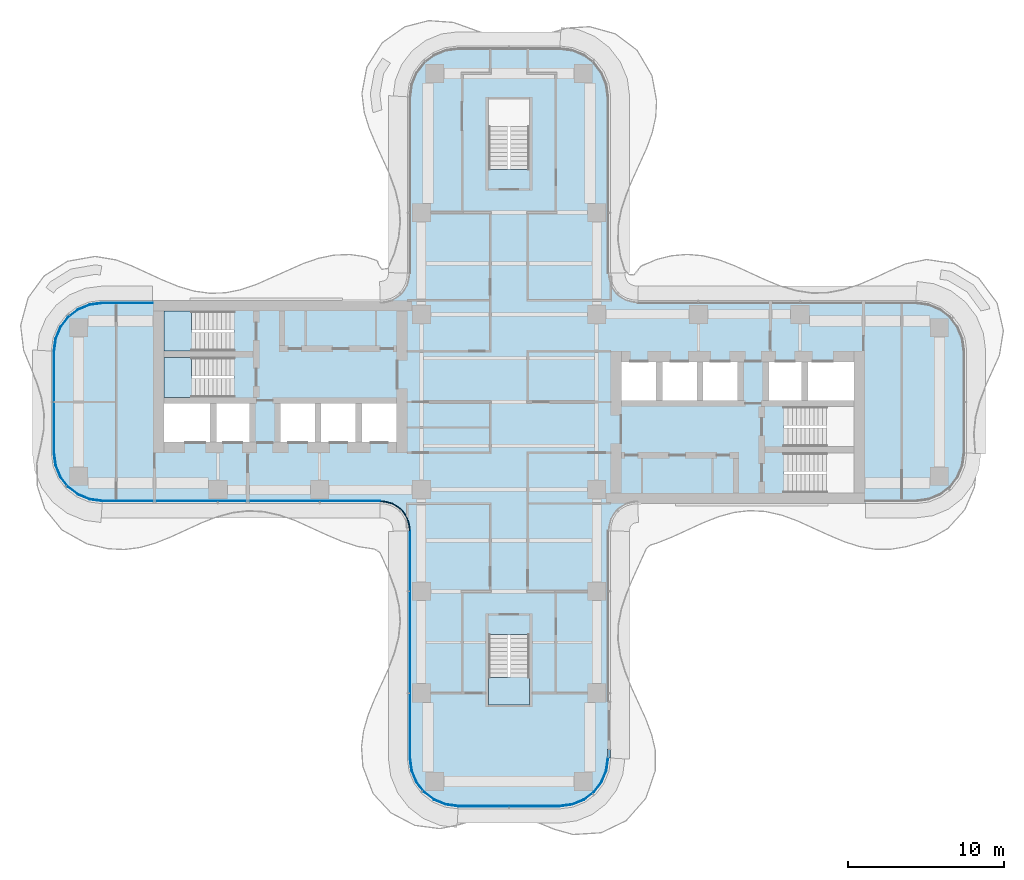
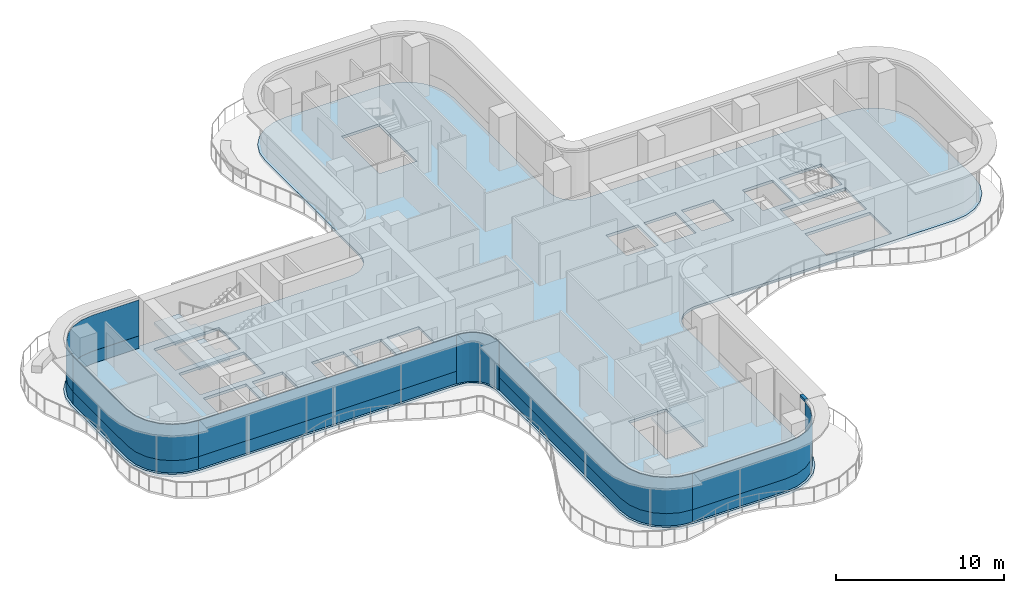
# One storey, part 9 of 18: 11 plates, 4 slabs, 1 member, 10 elements without a shape of their own.
"""IFC4 building model written with IfcOpenShell, lengths in metres."""

from ifc_helpers import new_model, si_unit, direction, frame, origin, place, context, subcontext, project, spatial, polyline, outline, extrude, source, transform, mapped, material, layer, layer_set, type_object, element, aggregate, save


model = new_model("IFC4")

# Units and contexts
model_context = context("Model", 3, precision=1e-05, world=origin(), true_north=direction((0.0, 1.0)))
body_context = subcontext(model_context, "Body", "Model", "MODEL_VIEW")
ifc_project = project(units=[si_unit("LENGTHUNIT", "METRE"), si_unit("AREAUNIT", "SQUARE_METRE"), si_unit("VOLUMEUNIT", "CUBIC_METRE"), si_unit("PLANEANGLEUNIT", "RADIAN"), si_unit("MASSUNIT", "GRAM", prefix="KILO")], contexts=[model_context])

# Site, building, storey
site_placement = place(None, origin())
site = spatial("IfcSite", under=ifc_project, at=site_placement, CompositionType="ELEMENT")
building_placement = place(site_placement, origin())
building = spatial("IfcBuilding", under=site, at=building_placement, Name="Trellis Farm Tower", CompositionType="ELEMENT")
storey_placement = place(building_placement, frame((0.0, 0.0, 204.89990234375)))
storey = spatial("IfcBuildingStorey", under=building, at=storey_placement, Name="L45", CompositionType="ELEMENT", Elevation=204.89990234375)

# Curtain wall, member
ifc_material_1 = material(Name="Aluminium and glass curtain wall", Category="aluminium")
ifc_layer_1 = layer(ifc_material_1, 0.18994140625)
ifc_layer_set_1 = layer_set([ifc_layer_1], Name="RIBBON CURTAIN WALL CW1")
curtain_wall_type_1 = type_object("IfcCurtainWallType", Name="RIBBON CURTAIN WALL CW1", PredefinedType="NOTDEFINED", material=ifc_layer_set_1)
placement_1 = place(storey_placement, origin())
curtain_wall_1 = element("IfcCurtainWall", 1, at=placement_1, inside=storey, type_object=curtain_wall_type_1, Name="CW1 004", PredefinedType="NOTDEFINED")
ifc_material_2 = material(Name="Aluminium extrusion 6063-T6", Category="aluminium")
ifc_layer_2 = layer(ifc_material_2, 0.199951171875)
ifc_layer_set_2 = layer_set([ifc_layer_2], Name="Aluminium extrusion 6063-T6")
member_type = type_object("IfcMemberType", Name="CW1 TRANSOM 200x180", PredefinedType="USERDEFINED", material=ifc_layer_set_2)
member_placement = place(storey_placement, frame((0.0, 0.0, 3.52001953125)))
member = element("IfcMember", 2, at=member_placement, type_object=member_type, Name="TR1 004", ObjectType="TRANSOM", PredefinedType="USERDEFINED", context=body_context, shape_type="SweptSolid", body=[
    extrude(outline(polyline([(6.5, -22.75), (6.5, -22.175048828125), (6.300048828125, -22.175048828125), (6.300048828125, -22.73681640625), (6.5, -22.75)])), origin(), (0.0, 0.0, 1.0), 0.18017578125),
])
aggregate(curtain_wall_1, [member])

# Slab
ifc_material_3 = material(Name="Concrete C40/50", Category="concrete")
ifc_layer_3 = layer(ifc_material_3, 0.199951171875)
ifc_layer_set_3 = layer_set([ifc_layer_3], Name="Composite deck floor slab 200")
slab_type_1 = type_object("IfcSlabType", Name="Composite deck floor slab 200", PredefinedType="FLOOR", material=ifc_layer_set_3)
shared_shape_1 = source(origin(), body_context, "Body", "SweptSolid", [
    extrude(outline(polyline([(-26.84130859375, -6.389404296875), (-27.625, -6.064697265625), (-28.298095703125, -5.548095703125), (-28.814697265625, -4.875), (-29.139404296875, -4.09130859375), (-29.25, -3.25), (-29.25, 3.25), (-29.139404296875, 4.09130859375), (-28.814697265625, 4.875), (-28.298095703125, 5.548095703125), (-27.625, 6.064697265625), (-26.84130859375, 6.389404296875), (-26.0, 6.5), (-8.2314453125, 6.5), (-8.01953125, 6.513916015625), (-7.91552734375, 6.527587890625), (-7.508544921875, 6.63671875), (-7.144287109375, 6.846923828125), (-6.846923828125, 7.144287109375), (-6.63671875, 7.508544921875), (-6.527587890625, 7.91552734375), (-6.513916015625, 8.01953125), (-6.5, 8.2314453125), (-6.5, 19.5), (-6.389404296875, 20.34130859375), (-6.064697265625, 21.125), (-5.548095703125, 21.798095703125), (-4.875, 22.314697265625), (-4.09130859375, 22.639404296875), (-3.25, 22.75), (3.25, 22.75), (4.09130859375, 22.639404296875), (4.875, 22.314697265625), (5.548095703125, 21.798095703125), (6.064697265625, 21.125), (6.389404296875, 20.34130859375), (6.5, 19.5), (6.5, 8.2314453125), (6.513916015625, 8.01953125), (6.527587890625, 7.91552734375), (6.63671875, 7.508544921875), (6.846923828125, 7.144287109375), (7.144287109375, 6.846923828125), (7.508544921875, 6.63671875), (7.91552734375, 6.527587890625), (8.01953125, 6.513916015625), (8.2314453125, 6.5), (26.0, 6.5), (26.84130859375, 6.389404296875), (27.625, 6.064697265625), (28.298095703125, 5.548095703125), (28.814697265625, 4.875), (29.139404296875, 4.09130859375), (29.25, 3.25), (29.25, -3.25), (29.139404296875, -4.09130859375), (28.814697265625, -4.875), (28.298095703125, -5.548095703125), (27.625, -6.064697265625), (26.84130859375, -6.389404296875), (26.0, -6.5), (8.2314453125, -6.5), (8.01953125, -6.513916015625), (7.91552734375, -6.527587890625), (7.508544921875, -6.63671875), (7.144287109375, -6.846923828125), (6.846923828125, -7.144287109375), (6.63671875, -7.508544921875), (6.527587890625, -7.91552734375), (6.513916015625, -8.01953125), (6.5, -8.2314453125), (6.5, -22.75), (6.389404296875, -23.59130859375), (6.064697265625, -24.375), (5.548095703125, -25.048095703125), (4.875, -25.564697265625), (4.09130859375, -25.889404296875), (3.25, -26.0), (-3.25, -26.0), (-4.09130859375, -25.889404296875), (-4.875, -25.564697265625), (-5.548095703125, -25.048095703125), (-6.064697265625, -24.375), (-6.389404296875, -23.59130859375), (-6.5, -22.75), (-6.5, -8.2314453125), (-6.513916015625, -8.01953125), (-6.527587890625, -7.91552734375), (-6.63671875, -7.508544921875), (-6.846923828125, -7.144287109375), (-7.144287109375, -6.846923828125), (-7.508544921875, -6.63671875), (-7.91552734375, -6.527587890625), (-8.01953125, -6.513916015625), (-8.2314453125, -6.5), (-26.0, -6.5), (-26.84130859375, -6.389404296875)]), holes=[polyline([(-22.050048828125, -0.10009765625), (-22.050048828125, -2.550048828125), (-19.10009765625, -2.550048828125), (-19.10009765625, -0.10009765625), (-22.050048828125, -0.10009765625)]), polyline([(-18.699951171875, -0.10009765625), (-18.699951171875, -2.550048828125), (-16.60009765625, -2.550048828125), (-16.60009765625, -0.10009765625), (-18.699951171875, -0.10009765625)]), polyline([(-14.60009765625, -0.10009765625), (-14.60009765625, -2.550048828125), (-12.39990234375, -2.550048828125), (-12.39990234375, -0.10009765625), (-14.60009765625, -0.10009765625)]), polyline([(-12.0, -0.10009765625), (-12.0, -2.550048828125), (-9.800048828125, -2.550048828125), (-9.800048828125, -0.10009765625), (-12.0, -0.10009765625)]), polyline([(-9.39990234375, -0.10009765625), (-9.39990234375, -2.550048828125), (-7.199951171875, -2.550048828125), (-7.199951171875, -0.10009765625), (-9.39990234375, -0.10009765625)]), polyline([(-17.56201171875, 1.64990234375), (-17.56201171875, 2.85009765625), (-22.050048828125, 2.85009765625), (-22.050048828125, 0.300048828125), (-17.56005859375, 0.300048828125), (-17.56005859375, 1.5), (-17.550048828125, 1.5), (-17.550048828125, 1.64990234375), (-17.56201171875, 1.64990234375)]), polyline([(-17.56201171875, 4.60009765625), (-17.56201171875, 5.800048828125), (-22.050048828125, 5.800048828125), (-22.050048828125, 3.25), (-17.56005859375, 3.25), (-17.56005859375, 4.449951171875), (-17.550048828125, 4.449951171875), (-17.550048828125, 4.60009765625), (-17.56201171875, 4.60009765625)]), polyline([(0.10009765625, 14.862060546875), (1.300048828125, 14.862060546875), (1.300048828125, 19.35009765625), (-1.300048828125, 19.35009765625), (-1.300048828125, 14.860107421875), (-0.10009765625, 14.860107421875), (-0.10009765625, 14.85009765625), (0.10009765625, 14.85009765625), (0.10009765625, 14.862060546875)]), polyline([(-0.10009765625, -14.862060546875), (-1.300048828125, -14.862060546875), (-1.300048828125, -19.35009765625), (1.300048828125, -19.35009765625), (1.300048828125, -14.860107421875), (0.10009765625, -14.860107421875), (0.10009765625, -14.85009765625), (-0.10009765625, -14.85009765625), (-0.10009765625, -14.862060546875)]), polyline([(17.56201171875, -4.60009765625), (17.56201171875, -5.800048828125), (22.050048828125, -5.800048828125), (22.050048828125, -3.25), (17.56005859375, -3.25), (17.56005859375, -4.449951171875), (17.550048828125, -4.449951171875), (17.550048828125, -4.60009765625), (17.56201171875, -4.60009765625)]), polyline([(17.56201171875, -1.64990234375), (17.56201171875, -2.85009765625), (22.050048828125, -2.85009765625), (22.050048828125, -0.300048828125), (17.56005859375, -0.300048828125), (17.56005859375, -1.5), (17.550048828125, -1.5), (17.550048828125, -1.64990234375), (17.56201171875, -1.64990234375)]), polyline([(9.39990234375, 0.10009765625), (9.39990234375, 2.550048828125), (7.199951171875, 2.550048828125), (7.199951171875, 0.10009765625), (9.39990234375, 0.10009765625)]), polyline([(12.0, 0.10009765625), (12.0, 2.550048828125), (9.800048828125, 2.550048828125), (9.800048828125, 0.10009765625), (12.0, 0.10009765625)]), polyline([(14.60009765625, 0.10009765625), (14.60009765625, 2.550048828125), (12.39990234375, 2.550048828125), (12.39990234375, 0.10009765625), (14.60009765625, 0.10009765625)]), polyline([(18.699951171875, 0.10009765625), (18.699951171875, 2.550048828125), (16.60009765625, 2.550048828125), (16.60009765625, 0.10009765625), (18.699951171875, 0.10009765625)]), polyline([(22.050048828125, 0.10009765625), (22.050048828125, 2.550048828125), (19.10009765625, 2.550048828125), (19.10009765625, 0.10009765625), (22.050048828125, 0.10009765625)])]), origin(), (0.0, 0.0, 1.0), 0.199951171875),
])
slab_1_placement = place(storey_placement, frame((0.0, 0.0, -0.199951171875)))
element("IfcSlab", 3, at=slab_1_placement, inside=storey, type_object=slab_type_1, Name="Floor slab", PredefinedType="FLOOR", context=body_context, shape_type="MappedRepresentation", body=[
    mapped(shared_shape_1, transform((0.0, 0.0, 0.0))),
])

# Stair, slab
ifc_material_4 = material(Name="Concrete C50/60", Category="concrete")
stair_type = type_object("IfcStairType", Name="CORE EXIT STAIR 22 RISERS 177 MM", PredefinedType="HALF_TURN_STAIR", material=ifc_material_4)
stair_1 = element("IfcStair", 4, at=placement_1, inside=storey, type_object=stair_type, Name="Exit stair S", PredefinedType="HALF_TURN_STAIR")
ifc_layer_4 = layer(ifc_material_4, 0.18994140625)
ifc_layer_set_4 = layer_set([ifc_layer_4], Name="CORE STAIR LANDING 190 CONCRETE C50/60")
slab_type_2 = type_object("IfcSlabType", Name="CORE STAIR LANDING 190 CONCRETE C50/60", PredefinedType="LANDING", material=ifc_layer_set_4)
shared_shape_2 = source(origin(), body_context, "Body", "SweptSolid", [
    extrude(outline(polyline([(1.300048828125, -19.35009765625), (-1.300048828125, -19.35009765625), (-1.300048828125, -17.60009765625), (-1.300048828125, -17.590087890625), (-0.10009765625, -17.590087890625), (-0.10009765625, -17.60009765625), (0.10009765625, -17.60009765625), (0.10009765625, -17.27197265625), (1.300048828125, -17.27197265625), (1.300048828125, -17.60009765625), (1.300048828125, -19.35009765625)])), origin(), (0.0, 0.0, 1.0), 0.190185546875),
])
placement_2 = place(storey_placement, frame((0.0, 0.0, 1.760009765625)))
slab_2 = element("IfcSlab", 5, at=placement_2, type_object=slab_type_2, Name="STS landing 1", PredefinedType="LANDING", context=body_context, shape_type="MappedRepresentation", body=[
    mapped(shared_shape_2, transform((0.0, 0.0, 0.0))),
])
aggregate(stair_1, [slab_2])

stair_2 = element("IfcStair", 6, at=placement_1, inside=storey, type_object=stair_type, Name="Exit stair W1", PredefinedType="HALF_TURN_STAIR")
shared_shape_3 = source(origin(), body_context, "Body", "SweptSolid", [
    extrude(outline(polyline([(-19.971923828125, 4.449951171875), (-19.971923828125, 3.25), (-20.300048828125, 3.25), (-22.050048828125, 3.25), (-22.050048828125, 5.800048828125), (-20.300048828125, 5.800048828125), (-20.2900390625, 5.800048828125), (-20.2900390625, 4.60009765625), (-20.300048828125, 4.60009765625), (-20.300048828125, 4.449951171875), (-19.971923828125, 4.449951171875)])), origin(), (0.0, 0.0, 1.0), 0.190185546875),
])
slab_3 = element("IfcSlab", 7, at=placement_2, type_object=slab_type_2, Name="STW1 landing 1", PredefinedType="LANDING", context=body_context, shape_type="MappedRepresentation", body=[
    mapped(shared_shape_3, transform((0.0, 0.0, 0.0))),
])
aggregate(stair_2, [slab_3])

stair_3 = element("IfcStair", 8, at=placement_1, inside=storey, type_object=stair_type, Name="Exit stair W2", PredefinedType="HALF_TURN_STAIR")
shared_shape_4 = source(origin(), body_context, "Body", "SweptSolid", [
    extrude(outline(polyline([(-19.971923828125, 1.5), (-19.971923828125, 0.300048828125), (-20.300048828125, 0.300048828125), (-22.050048828125, 0.300048828125), (-22.050048828125, 2.85009765625), (-20.300048828125, 2.85009765625), (-20.2900390625, 2.85009765625), (-20.2900390625, 1.64990234375), (-20.300048828125, 1.64990234375), (-20.300048828125, 1.5), (-19.971923828125, 1.5)])), origin(), (0.0, 0.0, 1.0), 0.190185546875),
])
slab_4 = element("IfcSlab", 9, at=placement_2, type_object=slab_type_2, Name="STW2 landing 1", PredefinedType="LANDING", context=body_context, shape_type="MappedRepresentation", body=[
    mapped(shared_shape_4, transform((0.0, 0.0, 0.0))),
])
aggregate(stair_3, [slab_4])

# Curtain wall, plate
ifc_layer_5 = layer(ifc_material_1, 0.166015625)
ifc_layer_set_5 = layer_set([ifc_layer_5], Name="WINTER GARDEN CURTAIN WALL CW3")
curtain_wall_type_2 = type_object("IfcCurtainWallType", Name="WINTER GARDEN CURTAIN WALL CW3", PredefinedType="NOTDEFINED", material=ifc_layer_set_5)
curtain_wall_2 = element("IfcCurtainWall", 10, at=placement_1, inside=storey, type_object=curtain_wall_type_2, Name="CW3 001", PredefinedType="NOTDEFINED")
ifc_material_5 = material(Name="Clear insulated glass", Category="glass")
ifc_layer_6 = layer(ifc_material_5, 0.0458984375)
ifc_layer_set_6 = layer_set([ifc_layer_6], Name="CW3 GLASS PANEL 46")
plate_type_1 = type_object("IfcPlateType", Name="CW3 GLASS PANEL 46", PredefinedType="CURTAIN_PANEL", material=ifc_layer_set_6)
shared_shape_5 = source(origin(), body_context, "Body", "SweptSolid", [
    extrude(outline(polyline([(-8.2275390625, -6.3798828125), (-8.0078125, -6.394287109375), (-7.89208984375, -6.40966796875), (-7.462158203125, -6.52490234375), (-7.070556640625, -6.7509765625), (-6.7509765625, -7.070556640625), (-6.52490234375, -7.462158203125), (-6.40966796875, -7.89208984375), (-6.394287109375, -8.0078125), (-6.3798828125, -8.2275390625), (-6.333984375, -8.22607421875), (-6.3486328125, -8.003173828125), (-6.364501953125, -7.883056640625), (-6.48193359375, -7.4443359375), (-6.714111328125, -7.04248046875), (-7.04248046875, -6.714111328125), (-7.4443359375, -6.48193359375), (-7.883056640625, -6.364501953125), (-8.003173828125, -6.3486328125), (-8.22607421875, -6.333984375), (-8.2275390625, -6.3798828125)])), origin(), (0.0, 0.0, 1.0), 3.550048828125),
])
plate_1 = element("IfcPlate", 11, at=placement_1, type_object=plate_type_1, Name="PL3 001", PredefinedType="CURTAIN_PANEL", context=body_context, shape_type="MappedRepresentation", body=[
    mapped(shared_shape_5, transform((0.0, 0.0, 0.0))),
])
aggregate(curtain_wall_2, [plate_1])

# Curtain wall, plates
curtain_wall_3 = element("IfcCurtainWall", 12, at=placement_1, inside=storey, type_object=curtain_wall_type_1, Name="CW1 001", PredefinedType="NOTDEFINED")
ifc_layer_7 = layer(ifc_material_5, 0.0400390625)
ifc_layer_set_7 = layer_set([ifc_layer_7], Name="CW1 GLASS PANEL 40")
plate_type_2 = type_object("IfcPlateType", Name="CW1 GLASS PANEL 40", PredefinedType="CURTAIN_PANEL", material=ifc_layer_set_7)
shared_shape_6 = source(origin(), body_context, "Body", "SweptSolid", [
    extrude(outline(polyline([(-25.990234375, -6.35009765625), (-8.2265625, -6.35009765625), (-8.22509765625, -6.31005859375), (-25.987548828125, -6.31005859375), (-25.990234375, -6.35009765625)])), origin(), (0.0, 0.0, 1.0), 2.619873046875),
])
placement_3 = place(storey_placement, frame((0.0, 0.0, 0.900146484375)))
plate_2 = element("IfcPlate", 13, at=placement_3, type_object=plate_type_2, Name="PL1 001", PredefinedType="CURTAIN_PANEL", context=body_context, shape_type="MappedRepresentation", body=[
    mapped(shared_shape_6, transform((0.0, 0.0, 0.0))),
])
ifc_material_6 = material(Name="Sandstone faced insulated panel", Category="masonry")
ifc_layer_8 = layer(ifc_material_6, 0.050048828125)
ifc_layer_set_8 = layer_set([ifc_layer_8], Name="CW1 STONE SPANDREL PANEL 50")
plate_type_3 = type_object("IfcPlateType", Name="CW1 STONE SPANDREL PANEL 50", PredefinedType="CURTAIN_PANEL", material=ifc_layer_set_8)
shared_shape_7 = source(origin(), body_context, "Body", "SweptSolid", [
    extrude(outline(polyline([(-25.990234375, -6.35009765625), (-8.2265625, -6.35009765625), (-8.224853515625, -6.300048828125), (-25.98681640625, -6.300048828125), (-25.990234375, -6.35009765625)])), origin(), (0.0, 0.0, 1.0), 0.900146484375),
])
plate_3 = element("IfcPlate", 14, at=placement_1, type_object=plate_type_3, Name="PS1 001", PredefinedType="CURTAIN_PANEL", context=body_context, shape_type="MappedRepresentation", body=[
    mapped(shared_shape_7, transform((0.0, 0.0, 0.0))),
])
aggregate(curtain_wall_3, [plate_2, plate_3])

curtain_wall_4 = element("IfcCurtainWall", 15, at=placement_1, inside=storey, type_object=curtain_wall_type_1, Name="CW1 002", PredefinedType="NOTDEFINED")
shared_shape_8 = source(origin(), body_context, "Body", "SweptSolid", [
    extrude(outline(polyline([(-6.35009765625, -8.2265625), (-6.35009765625, -22.740234375), (-6.2431640625, -23.552001953125), (-5.93359375, -24.29931640625), (-5.441162109375, -24.941162109375), (-4.79931640625, -25.43359375), (-4.052001953125, -25.7431640625), (-3.240234375, -25.85009765625), (-3.237548828125, -25.81005859375), (-4.04150390625, -25.7041015625), (-4.779296875, -25.398681640625), (-5.41259765625, -24.91259765625), (-5.898681640625, -24.279296875), (-6.2041015625, -23.54150390625), (-6.31005859375, -22.737548828125), (-6.31005859375, -8.22509765625), (-6.35009765625, -8.2265625)])), origin(), (0.0, 0.0, 1.0), 2.619873046875),
])
plate_4 = element("IfcPlate", 16, at=placement_3, type_object=plate_type_2, Name="PL1 002", PredefinedType="CURTAIN_PANEL", context=body_context, shape_type="MappedRepresentation", body=[
    mapped(shared_shape_8, transform((0.0, 0.0, 0.0))),
])
shared_shape_9 = source(origin(), body_context, "Body", "SweptSolid", [
    extrude(outline(polyline([(-6.35009765625, -8.2265625), (-6.35009765625, -22.740234375), (-6.2431640625, -23.552001953125), (-5.93359375, -24.29931640625), (-5.441162109375, -24.941162109375), (-4.79931640625, -25.43359375), (-4.052001953125, -25.7431640625), (-3.240234375, -25.85009765625), (-3.23681640625, -25.800048828125), (-4.0390625, -25.6943359375), (-4.774169921875, -25.389892578125), (-5.405517578125, -24.905517578125), (-5.889892578125, -24.274169921875), (-6.1943359375, -23.5390625), (-6.300048828125, -22.73681640625), (-6.300048828125, -8.224853515625), (-6.35009765625, -8.2265625)])), origin(), (0.0, 0.0, 1.0), 0.900146484375),
])
plate_5 = element("IfcPlate", 17, at=placement_1, type_object=plate_type_3, Name="PS1 002", PredefinedType="CURTAIN_PANEL", context=body_context, shape_type="MappedRepresentation", body=[
    mapped(shared_shape_9, transform((0.0, 0.0, 0.0))),
])
aggregate(curtain_wall_4, [plate_4, plate_5])

curtain_wall_5 = element("IfcCurtainWall", 18, at=placement_1, inside=storey, type_object=curtain_wall_type_1, Name="CW1 003", PredefinedType="NOTDEFINED")
shared_shape_10 = source(origin(), body_context, "Body", "SweptSolid", [
    extrude(outline(polyline([(-3.240234375, -25.85009765625), (3.240234375, -25.85009765625), (4.052001953125, -25.7431640625), (4.79931640625, -25.43359375), (5.441162109375, -24.941162109375), (5.93359375, -24.29931640625), (6.2431640625, -23.552001953125), (6.35009765625, -22.740234375), (6.31005859375, -22.737548828125), (6.2041015625, -23.54150390625), (5.898681640625, -24.279296875), (5.41259765625, -24.91259765625), (4.779296875, -25.398681640625), (4.04150390625, -25.7041015625), (3.237548828125, -25.81005859375), (-3.237548828125, -25.81005859375), (-3.240234375, -25.85009765625)])), origin(), (0.0, 0.0, 1.0), 2.619873046875),
])
plate_6 = element("IfcPlate", 19, at=placement_3, type_object=plate_type_2, Name="PL1 003", PredefinedType="CURTAIN_PANEL", context=body_context, shape_type="MappedRepresentation", body=[
    mapped(shared_shape_10, transform((0.0, 0.0, 0.0))),
])
shared_shape_11 = source(origin(), body_context, "Body", "SweptSolid", [
    extrude(outline(polyline([(-3.240234375, -25.85009765625), (3.240234375, -25.85009765625), (4.052001953125, -25.7431640625), (4.79931640625, -25.43359375), (5.441162109375, -24.941162109375), (5.93359375, -24.29931640625), (6.2431640625, -23.552001953125), (6.35009765625, -22.740234375), (6.300048828125, -22.73681640625), (6.1943359375, -23.5390625), (5.889892578125, -24.274169921875), (5.405517578125, -24.905517578125), (4.774169921875, -25.389892578125), (4.0390625, -25.6943359375), (3.23681640625, -25.800048828125), (-3.23681640625, -25.800048828125), (-3.240234375, -25.85009765625)])), origin(), (0.0, 0.0, 1.0), 0.900146484375),
])
plate_7 = element("IfcPlate", 20, at=placement_1, type_object=plate_type_3, Name="PS1 003", PredefinedType="CURTAIN_PANEL", context=body_context, shape_type="MappedRepresentation", body=[
    mapped(shared_shape_11, transform((0.0, 0.0, 0.0))),
])
aggregate(curtain_wall_5, [plate_6, plate_7])

curtain_wall_6 = element("IfcCurtainWall", 21, at=placement_1, inside=storey, type_object=curtain_wall_type_1, Name="CW1 012", PredefinedType="NOTDEFINED")
shared_shape_12 = source(origin(), body_context, "Body", "SweptSolid", [
    extrude(outline(polyline([(-22.780029296875, 6.35009765625), (-25.990234375, 6.35009765625), (-26.802001953125, 6.2431640625), (-27.54931640625, 5.93359375), (-28.191162109375, 5.441162109375), (-28.68359375, 4.79931640625), (-28.9931640625, 4.052001953125), (-29.10009765625, 3.240234375), (-29.06005859375, 3.237548828125), (-28.9541015625, 4.04150390625), (-28.648681640625, 4.779296875), (-28.16259765625, 5.41259765625), (-27.529296875, 5.898681640625), (-26.79150390625, 6.2041015625), (-25.987548828125, 6.31005859375), (-22.780029296875, 6.31005859375), (-22.780029296875, 6.35009765625)])), origin(), (0.0, 0.0, 1.0), 2.619873046875),
])
plate_8 = element("IfcPlate", 22, at=placement_3, type_object=plate_type_2, Name="PL1 012", PredefinedType="CURTAIN_PANEL", context=body_context, shape_type="MappedRepresentation", body=[
    mapped(shared_shape_12, transform((0.0, 0.0, 0.0))),
])
shared_shape_13 = source(origin(), body_context, "Body", "SweptSolid", [
    extrude(outline(polyline([(-22.780029296875, 6.35009765625), (-25.990234375, 6.35009765625), (-26.802001953125, 6.2431640625), (-27.54931640625, 5.93359375), (-28.191162109375, 5.441162109375), (-28.68359375, 4.79931640625), (-28.9931640625, 4.052001953125), (-29.10009765625, 3.240234375), (-29.050048828125, 3.23681640625), (-28.9443359375, 4.0390625), (-28.639892578125, 4.774169921875), (-28.155517578125, 5.405517578125), (-27.524169921875, 5.889892578125), (-26.7890625, 6.1943359375), (-25.98681640625, 6.300048828125), (-22.780029296875, 6.300048828125), (-22.780029296875, 6.35009765625)])), origin(), (0.0, 0.0, 1.0), 0.900146484375),
])
plate_9 = element("IfcPlate", 23, at=placement_1, type_object=plate_type_3, Name="PS1 012", PredefinedType="CURTAIN_PANEL", context=body_context, shape_type="MappedRepresentation", body=[
    mapped(shared_shape_13, transform((0.0, 0.0, 0.0))),
])
aggregate(curtain_wall_6, [plate_8, plate_9])

curtain_wall_7 = element("IfcCurtainWall", 24, at=placement_1, inside=storey, type_object=curtain_wall_type_1, Name="CW1 013", PredefinedType="NOTDEFINED")
shared_shape_14 = source(origin(), body_context, "Body", "SweptSolid", [
    extrude(outline(polyline([(-29.10009765625, 3.240234375), (-29.10009765625, -3.240234375), (-28.9931640625, -4.052001953125), (-28.68359375, -4.79931640625), (-28.191162109375, -5.441162109375), (-27.54931640625, -5.93359375), (-26.802001953125, -6.2431640625), (-25.990234375, -6.35009765625), (-25.987548828125, -6.31005859375), (-26.79150390625, -6.2041015625), (-27.529296875, -5.898681640625), (-28.16259765625, -5.41259765625), (-28.648681640625, -4.779296875), (-28.9541015625, -4.04150390625), (-29.06005859375, -3.237548828125), (-29.06005859375, 3.237548828125), (-29.10009765625, 3.240234375)])), origin(), (0.0, 0.0, 1.0), 2.619873046875),
])
plate_10 = element("IfcPlate", 25, at=placement_3, type_object=plate_type_2, Name="PL1 013", PredefinedType="CURTAIN_PANEL", context=body_context, shape_type="MappedRepresentation", body=[
    mapped(shared_shape_14, transform((0.0, 0.0, 0.0))),
])
shared_shape_15 = source(origin(), body_context, "Body", "SweptSolid", [
    extrude(outline(polyline([(-29.10009765625, 3.240234375), (-29.10009765625, -3.240234375), (-28.9931640625, -4.052001953125), (-28.68359375, -4.79931640625), (-28.191162109375, -5.441162109375), (-27.54931640625, -5.93359375), (-26.802001953125, -6.2431640625), (-25.990234375, -6.35009765625), (-25.98681640625, -6.300048828125), (-26.7890625, -6.1943359375), (-27.524169921875, -5.889892578125), (-28.155517578125, -5.405517578125), (-28.639892578125, -4.774169921875), (-28.9443359375, -4.0390625), (-29.050048828125, -3.23681640625), (-29.050048828125, 3.23681640625), (-29.10009765625, 3.240234375)])), origin(), (0.0, 0.0, 1.0), 0.900146484375),
])
plate_11 = element("IfcPlate", 26, at=placement_1, type_object=plate_type_3, Name="PS1 013", PredefinedType="CURTAIN_PANEL", context=body_context, shape_type="MappedRepresentation", body=[
    mapped(shared_shape_15, transform((0.0, 0.0, 0.0))),
])
aggregate(curtain_wall_7, [plate_10, plate_11])

save(model, "model.ifc")
